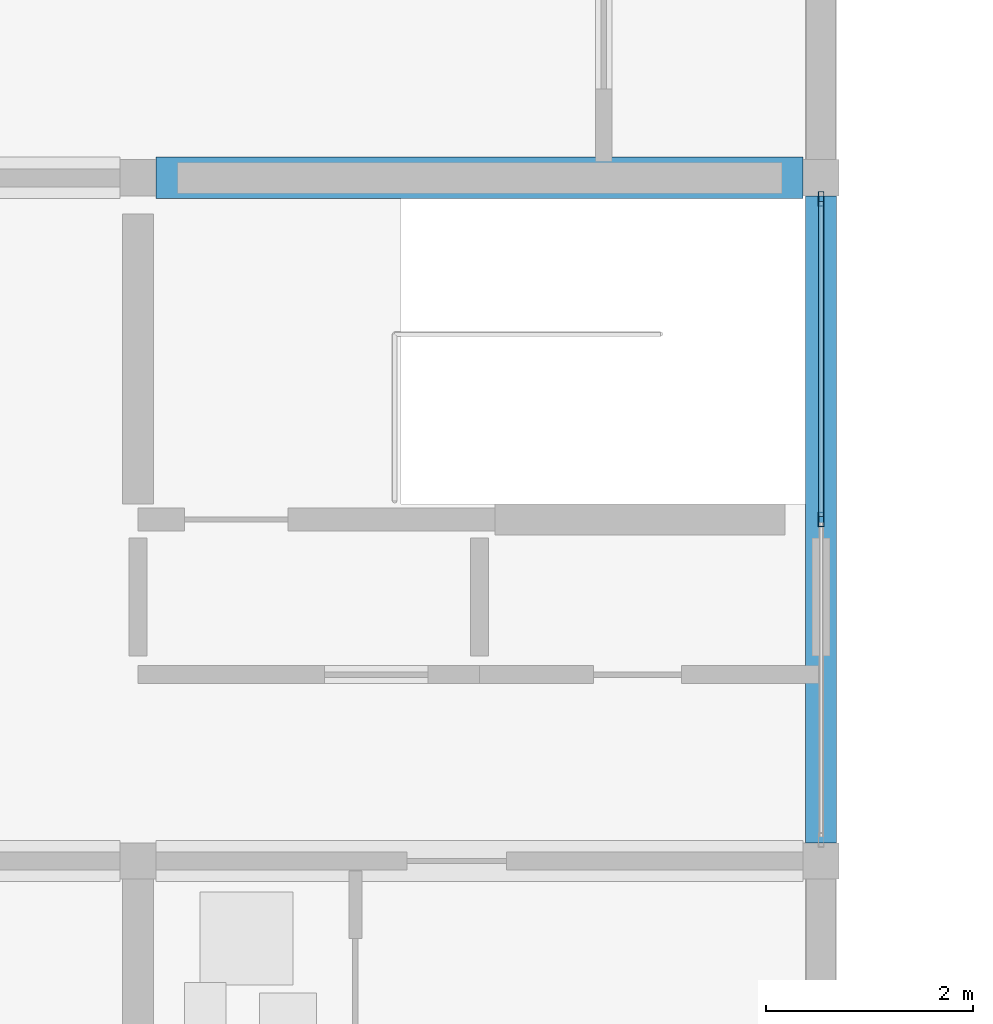
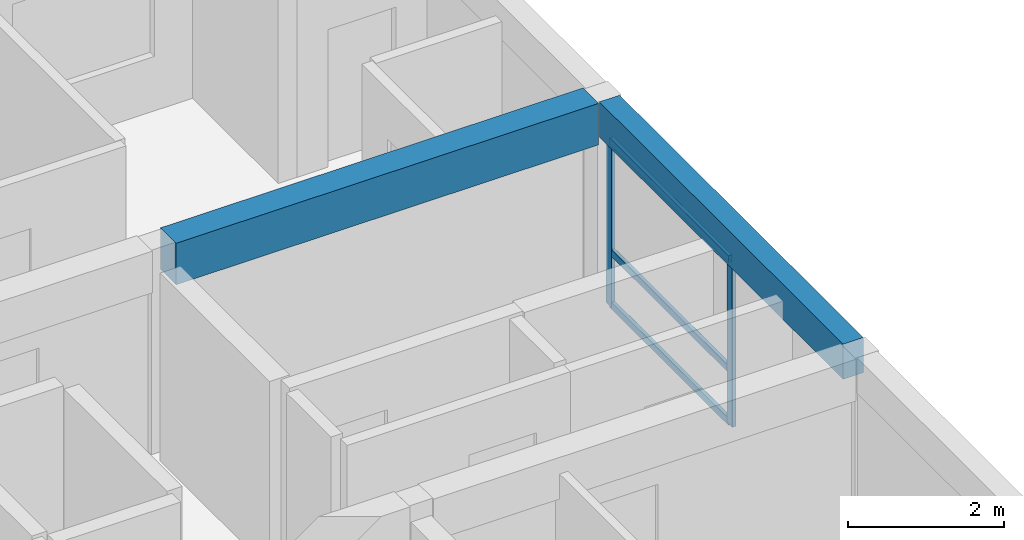
# One storey, part 9 of 49: 5 members, 2 beams, 1 element without a shape of its own.
"""IFC4 building model written with IfcOpenShell, lengths in metres."""

from ifc_helpers import new_model, si_unit, direction, frame, origin, origin_2d, place, context, subcontext, project, spatial, rectangle, hollow_rectangle, extrude, material, material_profile, profile_set, type_object, element, aggregate, save


model = new_model("IFC4")

# Units and contexts
model_context = context("Model", 3, precision=1e-05, world=origin(), true_north=direction((0.0, 1.0)))
body_context = subcontext(model_context, "Body", "Model", "MODEL_VIEW")
ifc_project = project(units=[si_unit("LENGTHUNIT", "METRE"), si_unit("AREAUNIT", "SQUARE_METRE"), si_unit("VOLUMEUNIT", "CUBIC_METRE"), si_unit("PLANEANGLEUNIT", "RADIAN"), si_unit("MASSUNIT", "GRAM", prefix="KILO")], contexts=[model_context])

# Site, building, storey
site_placement = place(None, origin())
site = spatial("IfcSite", under=ifc_project, at=site_placement, CompositionType="ELEMENT")
building_placement = place(site_placement, origin())
building = spatial("IfcBuilding", under=site, at=building_placement, Name="Kernevlak Ridge Housing Community", CompositionType="ELEMENT")
storey_placement = place(building_placement, frame((0.0, 0.0, 30.800048828125)))
storey = spatial("IfcBuildingStorey", under=building, at=storey_placement, Name="L09", CompositionType="ELEMENT", Elevation=30.800048828125)

# Beam
ifc_material_1 = material(Name="Concrete C35/45", Category="concrete")
ifc_material_profile_1 = material_profile(ifc_material_1, rectangle(XDim=0.39990234375, YDim=0.64990234375, at=origin_2d()), Name="RC 400x650")
ifc_profile_set_1 = profile_set([ifc_material_profile_1], Name="Concrete C35/45")
beam_type_1 = type_object("IfcBeamType", Name="B-03", PredefinedType="T_BEAM", material=ifc_profile_set_1)
beam_1_placement = place(storey_placement, frame((28.97509765625, 28.800048828125, 2.875), z_axis=(1.0, 0.0, 0.0), x_axis=(0.0, 1.0, 0.0)))
element("IfcBeam", 1, at=beam_1_placement, inside=storey, type_object=beam_type_1, Name="Beam B-03 L09 1523", PredefinedType="T_BEAM", context=body_context, shape_type="SweptSolid", body=[
    extrude(rectangle(XDim=0.39990234375, YDim=0.64990234375, at=origin_2d()), origin(), (0.0, 0.0, 1.0), 6.25),
])

# Curtain wall, members
ifc_material_2 = material(Name="Aluminium EN AW-6060 anodised and laminated glass", Category="aluminium")
curtain_wall_type = type_object("IfcCurtainWallType", Name="CW-03", PredefinedType="NOTDEFINED", material=ifc_material_2)
curtain_wall_placement = place(storey_placement, origin())
curtain_wall = element("IfcCurtainWall", 2, at=curtain_wall_placement, inside=storey, type_object=curtain_wall_type, Name="Curtain wall CW-03 CW-L09-168", PredefinedType="NOTDEFINED")
ifc_material_3 = material(Name="Aluminium EN AW-6060 anodised", Category="aluminium")
ifc_material_profile_2 = material_profile(ifc_material_3, hollow_rectangle(XDim=0.054931640625, YDim=0.139892578125, WallThickness=0.00390625, InnerFilletRadius=0.001953125, OuterFilletRadius=0.00390625, at=origin_2d()), Name="ALU 55x140x4")
ifc_profile_set_2 = profile_set([ifc_material_profile_2], Name="Aluminium EN AW-6060 anodised")
member_type_1 = type_object("IfcMemberType", Name="MU-01", PredefinedType="MULLION", material=ifc_profile_set_2)
member_1_placement = place(storey_placement, frame((35.39990234375, 25.5, 0.0), z_axis=(0.0, 0.0, 1.0), x_axis=(-1.0, 0.0, 0.0)))
member_1 = element("IfcMember", 3, at=member_1_placement, type_object=member_type_1, Name="CW-03 mullion 2", PredefinedType="MULLION", context=body_context, shape_type="SweptSolid", body=[
    extrude(hollow_rectangle(XDim=0.054931640625, YDim=0.139892578125, WallThickness=0.00390625, InnerFilletRadius=0.001953125, OuterFilletRadius=0.00390625, at=origin_2d()), origin(), (0.0, 0.0, 1.0), 2.599853515625),
])
member_2_placement = place(storey_placement, frame((35.39990234375, 28.597412109375, 0.0), z_axis=(0.0, 0.0, 1.0), x_axis=(-1.0, 0.0, 0.0)))
member_2 = element("IfcMember", 4, at=member_2_placement, type_object=member_type_1, Name="CW-03 mullion 3", PredefinedType="MULLION", context=body_context, shape_type="SweptSolid", body=[
    extrude(hollow_rectangle(XDim=0.054931640625, YDim=0.139892578125, WallThickness=0.00390625, InnerFilletRadius=0.001953125, OuterFilletRadius=0.00390625, at=origin_2d()), origin(), (0.0, 0.0, 1.0), 2.599853515625),
])

# Beam
ifc_material_profile_3 = material_profile(ifc_material_1, rectangle(XDim=0.300048828125, YDim=0.550048828125, at=origin_2d()), Name="RC 300x550")
ifc_profile_set_3 = profile_set([ifc_material_profile_3], Name="Concrete C35/45")
beam_type_2 = type_object("IfcBeamType", Name="SP-01", PredefinedType="SPANDREL", material=ifc_profile_set_3)
beam_2_placement = place(storey_placement, frame((35.39990234375, 22.375, 2.925048828125), z_axis=(0.0, 1.0, 0.0), x_axis=(-1.0, 0.0, 0.0)))
element("IfcBeam", 5, at=beam_2_placement, inside=storey, type_object=beam_type_2, Name="Beam SP-01 L09 1531", PredefinedType="SPANDREL", context=body_context, shape_type="SweptSolid", body=[
    extrude(rectangle(XDim=0.300048828125, YDim=0.550048828125, at=origin_2d()), origin(), (0.0, 0.0, 1.0), 6.25),
])

# Member
ifc_material_profile_4 = material_profile(ifc_material_3, hollow_rectangle(XDim=0.054931640625, YDim=0.110107421875, WallThickness=0.00390625, InnerFilletRadius=0.001953125, OuterFilletRadius=0.00390625, at=origin_2d()), Name="ALU 55x110x4")
ifc_profile_set_4 = profile_set([ifc_material_profile_4], Name="Aluminium EN AW-6060 anodised")
member_type_2 = type_object("IfcMemberType", Name="TM-01", PredefinedType="USERDEFINED", material=ifc_profile_set_4)
member_3_placement = place(storey_placement, frame((35.39990234375, 25.527587890625, 0.02734375), z_axis=(0.0, 1.0, 0.0), x_axis=(-1.0, 0.0, 0.0)))
member_3 = element("IfcMember", 6, at=member_3_placement, type_object=member_type_2, Name="CW-03 transom 2.1", ObjectType="TRANSOM", PredefinedType="USERDEFINED", context=body_context, shape_type="SweptSolid", body=[
    extrude(hollow_rectangle(XDim=0.054931640625, YDim=0.110107421875, WallThickness=0.00390625, InnerFilletRadius=0.001953125, OuterFilletRadius=0.00390625, at=origin_2d()), origin(), (0.0, 0.0, 1.0), 3.04248046875),
])

member_4_placement = place(storey_placement, frame((35.39990234375, 25.527587890625, 0.849853515625), z_axis=(0.0, 1.0, 0.0), x_axis=(-1.0, 0.0, 0.0)))
member_4 = element("IfcMember", 7, at=member_4_placement, type_object=member_type_2, Name="CW-03 transom 2.2", ObjectType="TRANSOM", PredefinedType="USERDEFINED", context=body_context, shape_type="SweptSolid", body=[
    extrude(hollow_rectangle(XDim=0.054931640625, YDim=0.110107421875, WallThickness=0.00390625, InnerFilletRadius=0.001953125, OuterFilletRadius=0.00390625, at=origin_2d()), origin(), (0.0, 0.0, 1.0), 3.04248046875),
])

member_5_placement = place(storey_placement, frame((35.39990234375, 25.527587890625, 2.572509765625), z_axis=(0.0, 1.0, 0.0), x_axis=(-1.0, 0.0, 0.0)))
member_5 = element("IfcMember", 8, at=member_5_placement, type_object=member_type_2, Name="CW-03 transom 2.3", ObjectType="TRANSOM", PredefinedType="USERDEFINED", context=body_context, shape_type="SweptSolid", body=[
    extrude(hollow_rectangle(XDim=0.054931640625, YDim=0.110107421875, WallThickness=0.00390625, InnerFilletRadius=0.001953125, OuterFilletRadius=0.00390625, at=origin_2d()), origin(), (0.0, 0.0, 1.0), 3.04248046875),
])

aggregate(curtain_wall, [member_1, member_2, member_3, member_4, member_5])

save(model, "model.ifc")
